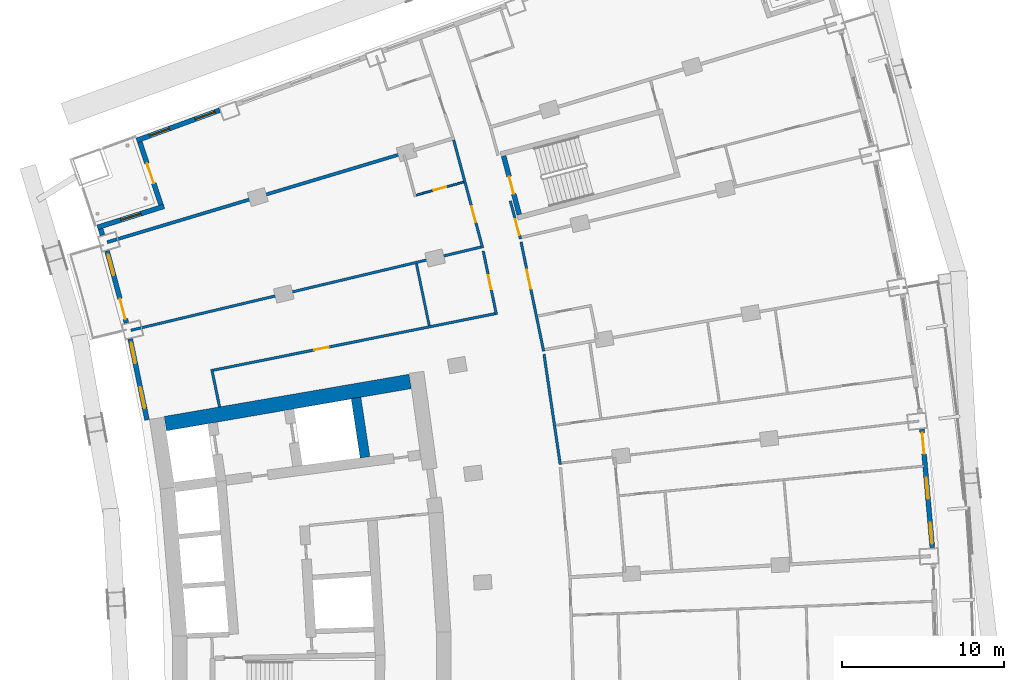
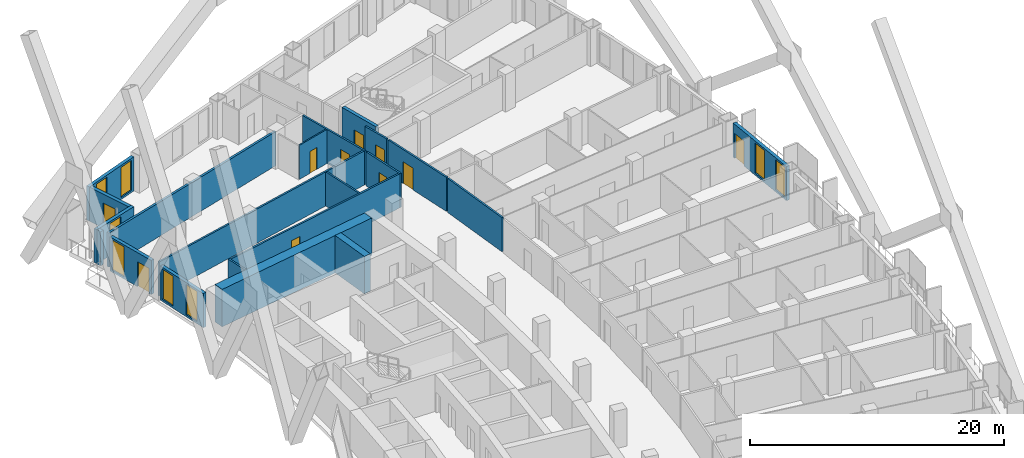
# One storey, part 19 of 25: 21 walls, 10 doors, 8 windows, 18 openings.
"""IFC4 building model written with IfcOpenShell, lengths in metres."""

from ifc_helpers import new_model, si_unit, direction, frame, frame_2d, origin, place, context, subcontext, project, spatial, rectangle, extrude, material, layer, layer_set, type_object, element, fill, save


model = new_model("IFC4")

# Units and contexts
model_context = context("Model", 3, precision=1e-05, world=origin(), true_north=direction((0.0, 1.0)))
body_context = subcontext(model_context, "Body", "Model", "MODEL_VIEW")
ifc_project = project(units=[si_unit("LENGTHUNIT", "METRE"), si_unit("AREAUNIT", "SQUARE_METRE"), si_unit("VOLUMEUNIT", "CUBIC_METRE"), si_unit("PLANEANGLEUNIT", "RADIAN"), si_unit("MASSUNIT", "GRAM", prefix="KILO")], contexts=[model_context])

# Site, building, storey
site_placement = place(None, origin())
site = spatial("IfcSite", under=ifc_project, at=site_placement, CompositionType="ELEMENT")
building_placement = place(site_placement, origin())
building = spatial("IfcBuilding", under=site, at=building_placement, Name="Alderwake Tower", CompositionType="ELEMENT")
storey_placement = place(building_placement, frame((0.0, 0.0, 32.0)))
storey = spatial("IfcBuildingStorey", under=building, at=storey_placement, Name="L06", CompositionType="ELEMENT", Elevation=32.0)

# Walls
ifc_material_1 = material(Name="Concrete C70/85", Category="concrete")
ifc_layer_1 = layer(ifc_material_1, 0.89990234375)
ifc_layer_set_1 = layer_set([ifc_layer_1], Name="Core wall outer 900 C70-85")
wall_type_1 = type_object("IfcWallType", Name="Core wall outer 900 C70-85", PredefinedType="SHEAR", material=ifc_layer_set_1)
wall_1_placement = place(storey_placement, frame((16.005615234375, 77.548828125, 0.0), z_axis=(0.0, 0.0, 1.0), x_axis=(0.985465815888, 0.169873852363, 0.0)))
element("IfcWall", 1, at=wall_1_placement, inside=storey, type_object=wall_type_1, Name="Core wall CW.053", PredefinedType="SHEAR", context=body_context, shape_type="SweptSolid", body=[
    extrude(rectangle(XDim=15.33056640625, YDim=0.89990234375, at=frame_2d((7.665283203125, 0.0))), origin(), (0.0, 0.0, 1.0), 3.60009765625),
])
ifc_material_2 = material(Name="Concrete C70/85", Category="concrete")
ifc_layer_2 = layer(ifc_material_2, 0.60009765625)
ifc_layer_set_2 = layer_set([ifc_layer_2], Name="Core wall spine 600 C70-85")
wall_type_2 = type_object("IfcWallType", Name="Core wall spine 600 C70-85", PredefinedType="SHEAR", material=ifc_layer_set_2)
wall_2_placement = place(storey_placement, frame((28.337646484375, 75.472412109375, 0.0), z_axis=(0.0, 0.0, 1.0), x_axis=(-0.149224787751, 0.988803298296, 0.0)))
element("IfcWall", 2, at=wall_2_placement, inside=storey, type_object=wall_type_2, Name="Core wall CW.001", PredefinedType="SHEAR", context=body_context, shape_type="SweptSolid", body=[
    extrude(rectangle(XDim=3.712158203125, YDim=0.60009765625, at=frame_2d((1.85595703125, 0.0))), origin(), (0.0, 0.0, 1.0), 3.60009765625),
])

# Wall, opening, door
ifc_material_3 = material(Name="Concrete C70/85", Category="concrete")
ifc_layer_3 = layer(ifc_material_3, 0.300048828125)
ifc_layer_set_3 = layer_set([ifc_layer_3], Name="Core wall stair enclosure 300 C70-85")
wall_type_3 = type_object("IfcWallType", Name="Core wall stair enclosure 300 C70-85", PredefinedType="SHEAR", material=ifc_layer_set_3)
wall_3_placement = place(storey_placement, frame((37.8603515625, 90.452392578125, 0.0), z_axis=(0.0, 0.0, 1.0), x_axis=(-0.257411420208, 0.966301899381, 0.0)))
wall_3 = element("IfcWall", 3, at=wall_3_placement, inside=storey, type_object=wall_type_3, Name="Core wall CW.083", PredefinedType="SHEAR", context=body_context, shape_type="SweptSolid", body=[
    extrude(rectangle(XDim=3.750244140625, YDim=0.300048828125, at=frame_2d((1.875, 0.0))), origin(), (0.0, 0.0, 1.0), 3.60009765625),
])
opening_1_placement = place(wall_3_placement, frame((1.324951171875, 0.0, 0.0)))
opening_1 = element("IfcOpeningElement", 4, at=opening_1_placement, cuts=wall_3, Name="Opening C062", PredefinedType="OPENING", context=body_context, shape_type="SweptSolid", body=[
    extrude(rectangle(XDim=1.10009765625, YDim=2.10009765625, at=frame_2d((0.550048828125, 1.050048828125))), frame((0.0, 0.159912109375, 0.0), z_axis=(0.0, -1.0, 0.0), x_axis=(1.0, 0.0, 0.0)), (0.0, 0.0, 1.0), 0.320068359375),
])
ifc_material_4 = material(Name="Steel-framed fire door leaf", Category="steel")
door_type_1 = type_object("IfcDoorType", Name="Core stair door 1100 fire-rated", OperationType="SINGLE_SWING_LEFT", PredefinedType="DOOR", material=ifc_material_4)
door_1_placement = place(opening_1_placement, origin())
door_1 = element("IfcDoor", 5, at=door_1_placement, inside=storey, type_object=door_type_1, Name="Stair door", OperationType="SINGLE_SWING_RIGHT", OverallHeight=2.10009765625, OverallWidth=1.10009765625, PredefinedType="DOOR", context=body_context, shape_type="SweptSolid", body=[
    extrude(rectangle(XDim=1.10009765625, YDim=2.10009765625, at=frame_2d((0.550048828125, 1.050048828125))), frame((0.0, 0.02490234375, 0.0), z_axis=(0.0, -1.0, 0.0), x_axis=(1.0, 0.0, 0.0)), (0.0, 0.0, 1.0), 0.050048828125),
])
fill(opening_1, door_1)

# Wall
ifc_material_5 = material(Name="Gypsum board on metal studs, rated")
ifc_layer_4 = layer(ifc_material_5, 0.159912109375)
ifc_layer_set_4 = layer_set([ifc_layer_4], Name="Corridor wall 160")
wall_type_4 = type_object("IfcWallType", Name="Corridor wall 160", PredefinedType="PARTITIONING", material=ifc_layer_set_4)
wall_4_placement = place(storey_placement, frame((18.874755859375, 80.910400390625, 0.0), z_axis=(0.0, 0.0, 1.0), x_axis=(0.202312089075, -0.979321100873, 0.0)))
element("IfcWall", 6, at=wall_4_placement, inside=storey, type_object=wall_type_4, Name="WL/L06/W18", PredefinedType="PARTITIONING", context=body_context, shape_type="SweptSolid", body=[
    extrude(rectangle(XDim=2.39306640625, YDim=0.159912109375, at=frame_2d((1.196533203125, 0.0))), origin(), (0.0, 0.0, 1.0), 3.280029296875),
])

# Wall, opening, door
wall_5_placement = place(storey_placement, frame((35.600830078125, 88.392578125, 0.0), z_axis=(0.0, 0.0, 1.0), x_axis=(-0.2593979597, 0.965770520622, 0.0)))
wall_5 = element("IfcWall", 7, at=wall_5_placement, inside=storey, type_object=wall_type_4, Name="WL/L06/W22", PredefinedType="PARTITIONING", context=body_context, shape_type="SweptSolid", body=[
    extrude(rectangle(XDim=6.9072265625, YDim=0.159912109375, at=frame_2d((3.45361328125, 0.0))), origin(), (0.0, 0.0, 1.0), 3.280029296875),
])
opening_2_placement = place(wall_5_placement, frame((1.65771484375, 0.0, 0.0)))
opening_2 = element("IfcOpeningElement", 8, at=opening_2_placement, cuts=wall_5, Name="Opening R01-U12.1", PredefinedType="OPENING", context=body_context, shape_type="SweptSolid", body=[
    extrude(rectangle(XDim=1.0, YDim=2.10009765625, at=frame_2d((0.5, 1.050048828125))), frame((0.0, 0.08984375, 0.0), z_axis=(0.0, -1.0, 0.0), x_axis=(1.0, 0.0, 0.0)), (0.0, 0.0, 1.0), 0.179931640625),
])
ifc_material_6 = material(Name="Solid timber leaf in steel frame", Category="steel")
door_type_2 = type_object("IfcDoorType", Name="Flat entrance door 1000 fire-rated", OperationType="SINGLE_SWING_LEFT", PredefinedType="DOOR", material=ifc_material_6)
door_2_placement = place(opening_2_placement, origin())
door_2 = element("IfcDoor", 9, at=door_2_placement, inside=storey, type_object=door_type_2, Name="DR/L06/U12.1", OperationType="SINGLE_SWING_LEFT", OverallHeight=2.10009765625, OverallWidth=1.0, PredefinedType="DOOR", context=body_context, shape_type="SweptSolid", body=[
    extrude(rectangle(XDim=1.0, YDim=2.10009765625, at=frame_2d((0.5, 1.050048828125))), frame((0.0, 0.02490234375, 0.0), z_axis=(0.0, -1.0, 0.0), x_axis=(1.0, 0.0, 0.0)), (0.0, 0.0, 1.0), 0.050048828125),
])
fill(opening_2, door_2)

# Wall
wall_6_placement = place(storey_placement, frame((35.502197265625, 88.451416015625, 0.0), z_axis=(0.0, 0.0, 1.0), x_axis=(-0.972894913244, -0.231247676278, 0.0)))
element("IfcWall", 10, at=wall_6_placement, inside=storey, type_object=wall_type_4, Name="WL/L06/W25", PredefinedType="PARTITIONING", context=body_context, shape_type="SweptSolid", body=[
    extrude(rectangle(XDim=22.220458984375, YDim=0.159912109375, at=frame_2d((11.1103515625, 0.0))), origin(), (0.0, 0.0, 1.0), 3.280029296875),
])

# Wall, opening, door
wall_7_placement = place(storey_placement, frame((36.451416015625, 84.272705078125, 0.0), z_axis=(0.0, 0.0, 1.0), x_axis=(-0.203258199701, 0.979125172924, 0.0)))
wall_7 = element("IfcWall", 11, at=wall_7_placement, inside=storey, type_object=wall_type_4, Name="WL/L06/W26", PredefinedType="PARTITIONING", context=body_context, shape_type="SweptSolid", body=[
    extrude(rectangle(XDim=4.020263671875, YDim=0.159912109375, at=frame_2d((2.01025390625, 0.0))), origin(), (0.0, 0.0, 1.0), 3.280029296875),
])
opening_3_placement = place(wall_7_placement, frame((1.599609375, 0.0, 0.0)))
opening_3 = element("IfcOpeningElement", 12, at=opening_3_placement, cuts=wall_7, Name="Opening R01-SBN2", PredefinedType="OPENING", context=body_context, shape_type="SweptSolid", body=[
    extrude(rectangle(XDim=0.89990234375, YDim=2.10009765625, at=frame_2d((0.449951171875, 1.050048828125))), frame((0.0, 0.08984375, 0.0), z_axis=(0.0, -1.0, 0.0), x_axis=(1.0, 0.0, 0.0)), (0.0, 0.0, 1.0), 0.179931640625),
])
ifc_material_7 = material(Name="Painted timber leaf", Category="wood")
door_type_3 = type_object("IfcDoorType", Name="Room door 900", OperationType="SINGLE_SWING_LEFT", PredefinedType="DOOR", material=ifc_material_7)
door_3_placement = place(opening_3_placement, origin())
door_3 = element("IfcDoor", 13, at=door_3_placement, inside=storey, type_object=door_type_3, Name="DR/L06/SBN2", OperationType="SINGLE_SWING_LEFT", OverallHeight=2.10009765625, OverallWidth=0.89990234375, PredefinedType="DOOR", context=body_context, shape_type="SweptSolid", body=[
    extrude(rectangle(XDim=0.89990234375, YDim=2.10009765625, at=frame_2d((0.449951171875, 1.050048828125))), frame((0.0, 0.02490234375, 0.0), z_axis=(0.0, -1.0, 0.0), x_axis=(1.0, 0.0, 0.0)), (0.0, 0.0, 1.0), 0.050048828125),
])
fill(opening_3, door_3)

wall_8_placement = place(storey_placement, frame((18.969482421875, 80.84765625, 0.0), z_axis=(0.0, 0.0, 1.0), x_axis=(0.980470914622, 0.196664144112, 0.0)))
wall_8 = element("IfcWall", 14, at=wall_8_placement, inside=storey, type_object=wall_type_4, Name="WL/L06/W30", PredefinedType="PARTITIONING", context=body_context, shape_type="SweptSolid", body=[
    extrude(rectangle(XDim=17.733642578125, YDim=0.159912109375, at=frame_2d((8.86669921875, 0.0))), origin(), (0.0, 0.0, 1.0), 3.280029296875),
])
opening_4_placement = place(wall_8_placement, frame((6.35693359375, 0.0, 0.0)))
opening_4 = element("IfcOpeningElement", 15, at=opening_4_placement, cuts=wall_8, Name="Opening R01-SBN1", PredefinedType="OPENING", context=body_context, shape_type="SweptSolid", body=[
    extrude(rectangle(XDim=0.89990234375, YDim=2.10009765625, at=frame_2d((0.449951171875, 1.050048828125))), frame((0.0, 0.08984375, 0.0), z_axis=(0.0, -1.0, 0.0), x_axis=(1.0, 0.0, 0.0)), (0.0, 0.0, 1.0), 0.179931640625),
])
door_4_placement = place(opening_4_placement, origin())
door_4 = element("IfcDoor", 16, at=door_4_placement, inside=storey, type_object=door_type_3, Name="DR/L06/SBN1", OperationType="SINGLE_SWING_LEFT", OverallHeight=2.10009765625, OverallWidth=0.89990234375, PredefinedType="DOOR", context=body_context, shape_type="SweptSolid", body=[
    extrude(rectangle(XDim=0.89990234375, YDim=2.10009765625, at=frame_2d((0.449951171875, 1.050048828125))), frame((0.0, 0.02490234375, 0.0), z_axis=(0.0, -1.0, 0.0), x_axis=(1.0, 0.0, 0.0)), (0.0, 0.0, 1.0), 0.050048828125),
])
fill(opening_4, door_4)

wall_9_placement = place(storey_placement, frame((37.304931640625, 91.299072265625, 0.0), z_axis=(0.0, 0.0, 1.0), x_axis=(0.259883580704, -0.965639955926, 0.0)))
wall_9 = element("IfcWall", 17, at=wall_9_placement, inside=storey, type_object=wall_type_4, Name="WL/L06/W34", PredefinedType="PARTITIONING", context=body_context, shape_type="SweptSolid", body=[
    extrude(rectangle(XDim=2.43505859375, YDim=0.159912109375, at=frame_2d((1.217529296875, 0.0))), origin(), (0.0, 0.0, 1.0), 3.280029296875),
])
opening_5_placement = place(wall_9_placement, frame((1.1796875, 0.0, 0.0)))
opening_5 = element("IfcOpeningElement", 18, at=opening_5_placement, cuts=wall_9, Name="Opening R01-U02.1", PredefinedType="OPENING", context=body_context, shape_type="SweptSolid", body=[
    extrude(rectangle(XDim=1.0, YDim=2.10009765625, at=frame_2d((0.5, 1.050048828125))), frame((0.0, 0.08984375, 0.0), z_axis=(0.0, -1.0, 0.0), x_axis=(1.0, 0.0, 0.0)), (0.0, 0.0, 1.0), 0.179931640625),
])
door_5_placement = place(opening_5_placement, origin())
door_5 = element("IfcDoor", 19, at=door_5_placement, inside=storey, type_object=door_type_2, Name="DR/L06/U02.1", OperationType="SINGLE_SWING_LEFT", OverallHeight=2.10009765625, OverallWidth=1.0, PredefinedType="DOOR", context=body_context, shape_type="SweptSolid", body=[
    extrude(rectangle(XDim=1.0, YDim=2.10009765625, at=frame_2d((0.5, 1.050048828125))), frame((0.0, 0.02490234375, 0.0), z_axis=(0.0, -1.0, 0.0), x_axis=(1.0, 0.0, 0.0)), (0.0, 0.0, 1.0), 0.050048828125),
])
fill(opening_5, door_5)

wall_10_placement = place(storey_placement, frame((37.970947265625, 88.763916015625, 0.0), z_axis=(0.0, 0.0, 1.0), x_axis=(0.202407399899, -0.979301406343, 0.0)))
wall_10 = element("IfcWall", 20, at=wall_10_placement, inside=storey, type_object=wall_type_4, Name="WL/L06/W37", PredefinedType="PARTITIONING", context=body_context, shape_type="SweptSolid", body=[
    extrude(rectangle(XDim=6.8837890625, YDim=0.159912109375, at=frame_2d((3.44189453125, 0.0))), origin(), (0.0, 0.0, 1.0), 3.280029296875),
])
opening_6_placement = place(wall_10_placement, frame((1.7412109375, 0.0, 0.0)))
opening_6 = element("IfcOpeningElement", 21, at=opening_6_placement, cuts=wall_10, Name="Opening R01-AM1.1", PredefinedType="OPENING", context=body_context, shape_type="SweptSolid", body=[
    extrude(rectangle(XDim=1.199951171875, YDim=2.10009765625, at=frame_2d((0.60009765625, 1.050048828125))), frame((0.0, 0.08984375, 0.0), z_axis=(0.0, -1.0, 0.0), x_axis=(1.0, 0.0, 0.0)), (0.0, 0.0, 1.0), 0.179931640625),
])
ifc_material_8 = material(Name="Steel-framed fire door leaf", Category="steel")
door_type_4 = type_object("IfcDoorType", Name="Lobby door 1200 fire-rated", OperationType="SINGLE_SWING_LEFT", PredefinedType="DOOR", material=ifc_material_8)
door_6_placement = place(opening_6_placement, origin())
door_6 = element("IfcDoor", 22, at=door_6_placement, inside=storey, type_object=door_type_4, Name="DR/L06/AM1.1", OperationType="SINGLE_SWING_LEFT", OverallHeight=2.10009765625, OverallWidth=1.199951171875, PredefinedType="DOOR", context=body_context, shape_type="SweptSolid", body=[
    extrude(rectangle(XDim=1.199951171875, YDim=2.10009765625, at=frame_2d((0.60009765625, 1.050048828125))), frame((0.0, 0.02490234375, 0.0), z_axis=(0.0, -1.0, 0.0), x_axis=(1.0, 0.0, 0.0)), (0.0, 0.0, 1.0), 0.050048828125),
])
fill(opening_6, door_6)

# Wall
wall_11_placement = place(storey_placement, frame((40.388671875, 75.02880859375, 0.0), z_axis=(0.0, 0.0, 1.0), x_axis=(-0.145597146039, 0.989343959938, 0.0)))
element("IfcWall", 23, at=wall_11_placement, inside=storey, type_object=wall_type_4, Name="WL/L06/W39", PredefinedType="PARTITIONING", context=body_context, shape_type="SweptSolid", body=[
    extrude(rectangle(XDim=6.881591796875, YDim=0.159912109375, at=frame_2d((3.44091796875, 0.0))), origin(), (0.0, 0.0, 1.0), 3.280029296875),
])

# Wall, openings, door, windows
ifc_material_9 = material(Name="Precast concrete C50/60 spandrel panel", Category="concrete")
ifc_layer_5 = layer(ifc_material_9, 0.300048828125)
ifc_layer_set_5 = layer_set([ifc_layer_5], Name="External wall EW1 Precast concrete C50/60 spandrel")
wall_type_5 = type_object("IfcWallType", Name="External wall EW1 Precast concrete C50/60 spandrel", PredefinedType="SOLIDWALL", material=ifc_layer_set_5)
wall_12_placement = place(storey_placement, frame((63.35986328125, 69.8974609375, 0.0), z_axis=(0.0, 0.0, 1.0), x_axis=(-0.08740868533, 0.996172536125, 0.0)))
wall_12 = element("IfcWall", 24, at=wall_12_placement, inside=storey, type_object=wall_type_5, Name="External wall 18", PredefinedType="SOLIDWALL", context=body_context, shape_type="SweptSolid", body=[
    extrude(rectangle(XDim=7.3291015625, YDim=0.300048828125, at=frame_2d((3.66455078125, 0.0))), origin(), (0.0, 0.0, 1.0), 3.280029296875),
])
opening_7_placement = place(wall_12_placement, frame((0.226806640625, 0.0, 0.199951171875)))
opening_7 = element("IfcOpeningElement", 25, at=opening_7_placement, cuts=wall_12, Name="Opening W1", PredefinedType="OPENING", context=body_context, shape_type="SweptSolid", body=[
    extrude(rectangle(XDim=1.300048828125, YDim=2.89990234375, at=frame_2d((0.64990234375, 1.449951171875))), frame((0.0, 0.159912109375, 0.0), z_axis=(0.0, -1.0, 0.0), x_axis=(1.0, 0.0, 0.0)), (0.0, 0.0, 1.0), 0.320068359375),
])
opening_8_placement = place(wall_12_placement, frame((3.0146484375, 0.0, 0.199951171875)))
opening_8 = element("IfcOpeningElement", 26, at=opening_8_placement, cuts=wall_12, Name="Opening W1", PredefinedType="OPENING", context=body_context, shape_type="SweptSolid", body=[
    extrude(rectangle(XDim=1.300048828125, YDim=2.89990234375, at=frame_2d((0.64990234375, 1.449951171875))), frame((0.0, 0.159912109375, 0.0), z_axis=(0.0, -1.0, 0.0), x_axis=(1.0, 0.0, 0.0)), (0.0, 0.0, 1.0), 0.320068359375),
])
opening_9_placement = place(wall_12_placement, frame((5.802490234375, 0.0, 0.0)))
opening_9 = element("IfcOpeningElement", 27, at=opening_9_placement, cuts=wall_12, Name="Opening D09", PredefinedType="OPENING", context=body_context, shape_type="SweptSolid", body=[
    extrude(rectangle(XDim=1.300048828125, YDim=2.39990234375, at=frame_2d((0.64990234375, 1.199951171875))), frame((0.0, 0.159912109375, 0.0), z_axis=(0.0, -1.0, 0.0), x_axis=(1.0, 0.0, 0.0)), (0.0, 0.0, 1.0), 0.320068359375),
])
ifc_material_10 = material(Name="Bronze tinted glass in aluminium frame", Category="aluminium")
door_type_5 = type_object("IfcDoorType", Name="Balcony door BD sliding", OperationType="SLIDING_TO_LEFT", PredefinedType="DOOR", material=ifc_material_10)
door_7_placement = place(opening_9_placement, origin())
door_7 = element("IfcDoor", 28, at=door_7_placement, inside=storey, type_object=door_type_5, Name="Door D09", OperationType="SLIDING_TO_LEFT", OverallHeight=2.39990234375, OverallWidth=1.300048828125, PredefinedType="DOOR", context=body_context, shape_type="SweptSolid", body=[
    extrude(rectangle(XDim=1.300048828125, YDim=2.39990234375, at=frame_2d((0.64990234375, 1.199951171875))), frame((0.0, 0.02490234375, 0.0), z_axis=(0.0, -1.0, 0.0), x_axis=(1.0, 0.0, 0.0)), (0.0, 0.0, 1.0), 0.050048828125),
])
fill(opening_9, door_7)
ifc_material_11 = material(Name="Bronze tinted glass in aluminium frame", Category="aluminium")
window_type = type_object("IfcWindowType", Name="Window W1 tall fixed and vent", PartitioningType="DOUBLE_PANEL_VERTICAL", PredefinedType="WINDOW", material=ifc_material_11)
window_1_placement = place(opening_7_placement, origin())
window_1 = element("IfcWindow", 29, at=window_1_placement, inside=storey, type_object=window_type, Name="Window W1 tall fixed and vent", OverallHeight=2.89990234375, OverallWidth=1.300048828125, PartitioningType="DOUBLE_PANEL_VERTICAL", PredefinedType="WINDOW", context=body_context, shape_type="SweptSolid", body=[
    extrude(rectangle(XDim=1.300048828125, YDim=2.89990234375, at=frame_2d((0.64990234375, 1.449951171875))), frame((0.0, 0.030029296875, 0.0), z_axis=(0.0, -1.0, 0.0), x_axis=(1.0, 0.0, 0.0)), (0.0, 0.0, 1.0), 0.06005859375),
])
fill(opening_7, window_1)
window_2_placement = place(opening_8_placement, origin())
window_2 = element("IfcWindow", 30, at=window_2_placement, inside=storey, type_object=window_type, Name="Window W1 tall fixed and vent", OverallHeight=2.89990234375, OverallWidth=1.300048828125, PartitioningType="DOUBLE_PANEL_VERTICAL", PredefinedType="WINDOW", context=body_context, shape_type="SweptSolid", body=[
    extrude(rectangle(XDim=1.300048828125, YDim=2.89990234375, at=frame_2d((0.64990234375, 1.449951171875))), frame((0.0, 0.030029296875, 0.0), z_axis=(0.0, -1.0, 0.0), x_axis=(1.0, 0.0, 0.0)), (0.0, 0.0, 1.0), 0.06005859375),
])
fill(opening_8, window_2)

# Wall
wall_13_placement = place(storey_placement, frame((12.01416015625, 89.5703125, 0.0), z_axis=(0.0, 0.0, 1.0), x_axis=(0.29468230117, -0.955595281161, 0.0)))
element("IfcWall", 31, at=wall_13_placement, inside=storey, type_object=wall_type_5, Name="External wall 32", PredefinedType="SOLIDWALL", context=body_context, shape_type="SweptSolid", body=[
    extrude(rectangle(XDim=0.402587890625, YDim=0.300048828125, at=frame_2d((0.201171875, 0.0))), origin(), (0.0, 0.0, 1.0), 3.280029296875),
])

# Wall, openings, door, window
wall_14_placement = place(storey_placement, frame((12.4130859375, 88.212890625, 0.0), z_axis=(0.0, 0.0, 1.0), x_axis=(0.259495671332, -0.965744270788, 0.0)))
wall_14 = element("IfcWall", 32, at=wall_14_placement, inside=storey, type_object=wall_type_5, Name="External wall 33", PredefinedType="SOLIDWALL", context=body_context, shape_type="SweptSolid", body=[
    extrude(rectangle(XDim=4.599609375, YDim=0.300048828125, at=frame_2d((2.2998046875, 0.0))), origin(), (0.0, 0.0, 1.0), 3.280029296875),
])
opening_10_placement = place(wall_14_placement, frame((0.2412109375, 0.0, 0.199951171875)))
opening_10 = element("IfcOpeningElement", 33, at=opening_10_placement, cuts=wall_14, Name="Opening W1", PredefinedType="OPENING", context=body_context, shape_type="SweptSolid", body=[
    extrude(rectangle(XDim=1.300048828125, YDim=2.89990234375, at=frame_2d((0.64990234375, 1.449951171875))), frame((0.0, 0.159912109375, 0.0), z_axis=(0.0, -1.0, 0.0), x_axis=(1.0, 0.0, 0.0)), (0.0, 0.0, 1.0), 0.320068359375),
])
opening_11_placement = place(wall_14_placement, frame((3.058349609375, 0.0, 0.0)))
opening_11 = element("IfcOpeningElement", 34, at=opening_11_placement, cuts=wall_14, Name="Opening D14", PredefinedType="OPENING", context=body_context, shape_type="SweptSolid", body=[
    extrude(rectangle(XDim=1.300048828125, YDim=2.39990234375, at=frame_2d((0.64990234375, 1.199951171875))), frame((0.0, 0.159912109375, 0.0), z_axis=(0.0, -1.0, 0.0), x_axis=(1.0, 0.0, 0.0)), (0.0, 0.0, 1.0), 0.320068359375),
])
door_8_placement = place(opening_11_placement, origin())
door_8 = element("IfcDoor", 35, at=door_8_placement, inside=storey, type_object=door_type_5, Name="Door D14", OperationType="SLIDING_TO_LEFT", OverallHeight=2.39990234375, OverallWidth=1.300048828125, PredefinedType="DOOR", context=body_context, shape_type="SweptSolid", body=[
    extrude(rectangle(XDim=1.300048828125, YDim=2.39990234375, at=frame_2d((0.64990234375, 1.199951171875))), frame((0.0, 0.02490234375, 0.0), z_axis=(0.0, -1.0, 0.0), x_axis=(1.0, 0.0, 0.0)), (0.0, 0.0, 1.0), 0.050048828125),
])
fill(opening_11, door_8)
window_3_placement = place(opening_10_placement, origin())
window_3 = element("IfcWindow", 36, at=window_3_placement, inside=storey, type_object=window_type, Name="Window W1 tall fixed and vent", OverallHeight=2.89990234375, OverallWidth=1.300048828125, PartitioningType="DOUBLE_PANEL_VERTICAL", PredefinedType="WINDOW", context=body_context, shape_type="SweptSolid", body=[
    extrude(rectangle(XDim=1.300048828125, YDim=2.89990234375, at=frame_2d((0.64990234375, 1.449951171875))), frame((0.0, 0.030029296875, 0.0), z_axis=(0.0, -1.0, 0.0), x_axis=(1.0, 0.0, 0.0)), (0.0, 0.0, 1.0), 0.06005859375),
])
fill(opening_10, window_3)

# Wall, openings, windows
wall_15_placement = place(storey_placement, frame((13.842529296875, 82.77880859375, 0.0), z_axis=(0.0, 0.0, 1.0), x_axis=(0.202738354746, -0.979232944459, 0.0)))
wall_15 = element("IfcWall", 37, at=wall_15_placement, inside=storey, type_object=wall_type_5, Name="External wall 34", PredefinedType="SOLIDWALL", context=body_context, shape_type="SweptSolid", body=[
    extrude(rectangle(XDim=5.1083984375, YDim=0.300048828125, at=frame_2d((2.55419921875, 0.0))), origin(), (0.0, 0.0, 1.0), 3.280029296875),
])
opening_12_placement = place(wall_15_placement, frame((0.239013671875, 0.0, 0.199951171875)))
opening_12 = element("IfcOpeningElement", 38, at=opening_12_placement, cuts=wall_15, Name="Opening W1", PredefinedType="OPENING", context=body_context, shape_type="SweptSolid", body=[
    extrude(rectangle(XDim=1.300048828125, YDim=2.89990234375, at=frame_2d((0.64990234375, 1.449951171875))), frame((0.0, 0.159912109375, 0.0), z_axis=(0.0, -1.0, 0.0), x_axis=(1.0, 0.0, 0.0)), (0.0, 0.0, 1.0), 0.320068359375),
])
opening_13_placement = place(wall_15_placement, frame((3.0517578125, 0.0, 0.199951171875)))
opening_13 = element("IfcOpeningElement", 39, at=opening_13_placement, cuts=wall_15, Name="Opening W1", PredefinedType="OPENING", context=body_context, shape_type="SweptSolid", body=[
    extrude(rectangle(XDim=1.300048828125, YDim=2.89990234375, at=frame_2d((0.64990234375, 1.449951171875))), frame((0.0, 0.159912109375, 0.0), z_axis=(0.0, -1.0, 0.0), x_axis=(1.0, 0.0, 0.0)), (0.0, 0.0, 1.0), 0.320068359375),
])
window_4_placement = place(opening_12_placement, origin())
window_4 = element("IfcWindow", 40, at=window_4_placement, inside=storey, type_object=window_type, Name="Window W1 tall fixed and vent", OverallHeight=2.89990234375, OverallWidth=1.300048828125, PartitioningType="DOUBLE_PANEL_VERTICAL", PredefinedType="WINDOW", context=body_context, shape_type="SweptSolid", body=[
    extrude(rectangle(XDim=1.300048828125, YDim=2.89990234375, at=frame_2d((0.64990234375, 1.449951171875))), frame((0.0, 0.030029296875, 0.0), z_axis=(0.0, -1.0, 0.0), x_axis=(1.0, 0.0, 0.0)), (0.0, 0.0, 1.0), 0.06005859375),
])
fill(opening_12, window_4)
window_5_placement = place(opening_13_placement, origin())
window_5 = element("IfcWindow", 41, at=window_5_placement, inside=storey, type_object=window_type, Name="Window W1 tall fixed and vent", OverallHeight=2.89990234375, OverallWidth=1.300048828125, PartitioningType="DOUBLE_PANEL_VERTICAL", PredefinedType="WINDOW", context=body_context, shape_type="SweptSolid", body=[
    extrude(rectangle(XDim=1.300048828125, YDim=2.89990234375, at=frame_2d((0.64990234375, 1.449951171875))), frame((0.0, 0.030029296875, 0.0), z_axis=(0.0, -1.0, 0.0), x_axis=(1.0, 0.0, 0.0)), (0.0, 0.0, 1.0), 0.06005859375),
])
fill(opening_13, window_5)

ifc_material_12 = material(Name="Bronze metal cladding on lightweight framing")
ifc_layer_6 = layer(ifc_material_12, 0.300048828125)
ifc_layer_set_6 = layer_set([ifc_layer_6], Name="External wall EW2 bronze metal cladding")
wall_type_6 = type_object("IfcWallType", Name="External wall EW2 bronze metal cladding", PredefinedType="SOLIDWALL", material=ifc_layer_set_6)
wall_16_placement = place(storey_placement, frame((19.360595703125, 96.89697265625, 0.0), z_axis=(0.0, 0.0, 1.0), x_axis=(-0.939360985368, -0.342929933321, 0.0)))
wall_16 = element("IfcWall", 42, at=wall_16_placement, inside=storey, type_object=wall_type_6, Name="External wall 29", PredefinedType="SOLIDWALL", context=body_context, shape_type="SweptSolid", body=[
    extrude(rectangle(XDim=5.448974609375, YDim=0.300048828125, at=frame_2d((2.724609375, 0.0))), origin(), (0.0, 0.0, 1.0), 3.280029296875),
])
opening_14_placement = place(wall_16_placement, frame((0.2978515625, 0.0, 0.199951171875)))
opening_14 = element("IfcOpeningElement", 43, at=opening_14_placement, cuts=wall_16, Name="Opening W1", PredefinedType="OPENING", context=body_context, shape_type="SweptSolid", body=[
    extrude(rectangle(XDim=1.300048828125, YDim=2.89990234375, at=frame_2d((0.64990234375, 1.449951171875))), frame((0.0, 0.159912109375, 0.0), z_axis=(0.0, -1.0, 0.0), x_axis=(1.0, 0.0, 0.0)), (0.0, 0.0, 1.0), 0.320068359375),
])
opening_15_placement = place(wall_16_placement, frame((3.298583984375, 0.0, 0.199951171875)))
opening_15 = element("IfcOpeningElement", 44, at=opening_15_placement, cuts=wall_16, Name="Opening W1", PredefinedType="OPENING", context=body_context, shape_type="SweptSolid", body=[
    extrude(rectangle(XDim=1.300048828125, YDim=2.89990234375, at=frame_2d((0.64990234375, 1.449951171875))), frame((0.0, 0.159912109375, 0.0), z_axis=(0.0, -1.0, 0.0), x_axis=(1.0, 0.0, 0.0)), (0.0, 0.0, 1.0), 0.320068359375),
])
window_6_placement = place(opening_14_placement, origin())
window_6 = element("IfcWindow", 45, at=window_6_placement, inside=storey, type_object=window_type, Name="Window W1 tall fixed and vent", OverallHeight=2.89990234375, OverallWidth=1.300048828125, PartitioningType="DOUBLE_PANEL_VERTICAL", PredefinedType="WINDOW", context=body_context, shape_type="SweptSolid", body=[
    extrude(rectangle(XDim=1.300048828125, YDim=2.89990234375, at=frame_2d((0.64990234375, 1.449951171875))), frame((0.0, 0.030029296875, 0.0), z_axis=(0.0, -1.0, 0.0), x_axis=(1.0, 0.0, 0.0)), (0.0, 0.0, 1.0), 0.06005859375),
])
fill(opening_14, window_6)
window_7_placement = place(opening_15_placement, origin())
window_7 = element("IfcWindow", 46, at=window_7_placement, inside=storey, type_object=window_type, Name="Window W1 tall fixed and vent", OverallHeight=2.89990234375, OverallWidth=1.300048828125, PartitioningType="DOUBLE_PANEL_VERTICAL", PredefinedType="WINDOW", context=body_context, shape_type="SweptSolid", body=[
    extrude(rectangle(XDim=1.300048828125, YDim=2.89990234375, at=frame_2d((0.64990234375, 1.449951171875))), frame((0.0, 0.030029296875, 0.0), z_axis=(0.0, -1.0, 0.0), x_axis=(1.0, 0.0, 0.0)), (0.0, 0.0, 1.0), 0.06005859375),
])
fill(opening_15, window_7)

# Wall, opening, door
wall_17_placement = place(storey_placement, frame((14.430908203125, 94.937744140625, 0.0), z_axis=(0.0, 0.0, 1.0), x_axis=(0.320379458656, -0.947289291859, 0.0)))
wall_17 = element("IfcWall", 47, at=wall_17_placement, inside=storey, type_object=wall_type_6, Name="External wall 30", PredefinedType="SOLIDWALL", context=body_context, shape_type="SweptSolid", body=[
    extrude(rectangle(XDim=4.08984375, YDim=0.300048828125, at=frame_2d((2.044921875, 0.0))), origin(), (0.0, 0.0, 1.0), 3.280029296875),
])
opening_16_placement = place(wall_17_placement, frame((1.39501953125, 0.0, 0.0)))
opening_16 = element("IfcOpeningElement", 48, at=opening_16_placement, cuts=wall_17, Name="Opening D13", PredefinedType="OPENING", context=body_context, shape_type="SweptSolid", body=[
    extrude(rectangle(XDim=1.300048828125, YDim=2.39990234375, at=frame_2d((0.64990234375, 1.199951171875))), frame((0.0, 0.159912109375, 0.0), z_axis=(0.0, -1.0, 0.0), x_axis=(1.0, 0.0, 0.0)), (0.0, 0.0, 1.0), 0.320068359375),
])
door_9_placement = place(opening_16_placement, origin())
door_9 = element("IfcDoor", 49, at=door_9_placement, inside=storey, type_object=door_type_5, Name="Door D13", OperationType="SLIDING_TO_LEFT", OverallHeight=2.39990234375, OverallWidth=1.300048828125, PredefinedType="DOOR", context=body_context, shape_type="SweptSolid", body=[
    extrude(rectangle(XDim=1.300048828125, YDim=2.39990234375, at=frame_2d((0.64990234375, 1.199951171875))), frame((0.0, 0.02490234375, 0.0), z_axis=(0.0, -1.0, 0.0), x_axis=(1.0, 0.0, 0.0)), (0.0, 0.0, 1.0), 0.050048828125),
])
fill(opening_16, door_9)

# Wall, opening, window
wall_18_placement = place(storey_placement, frame((15.932373046875, 90.966552734375, 0.0), z_axis=(0.0, 0.0, 1.0), x_axis=(-0.953473772386, -0.301475978103, 0.0)))
wall_18 = element("IfcWall", 50, at=wall_18_placement, inside=storey, type_object=wall_type_6, Name="External wall 31", PredefinedType="SOLIDWALL", context=body_context, shape_type="SweptSolid", body=[
    extrude(rectangle(XDim=4.305908203125, YDim=0.300048828125, at=frame_2d((2.15283203125, 0.0))), origin(), (0.0, 0.0, 1.0), 3.280029296875),
])
opening_17_placement = place(wall_18_placement, frame((1.5029296875, 0.0, 0.199951171875)))
opening_17 = element("IfcOpeningElement", 51, at=opening_17_placement, cuts=wall_18, Name="Opening W1", PredefinedType="OPENING", context=body_context, shape_type="SweptSolid", body=[
    extrude(rectangle(XDim=1.300048828125, YDim=2.89990234375, at=frame_2d((0.64990234375, 1.449951171875))), frame((0.0, 0.159912109375, 0.0), z_axis=(0.0, -1.0, 0.0), x_axis=(1.0, 0.0, 0.0)), (0.0, 0.0, 1.0), 0.320068359375),
])
window_8_placement = place(opening_17_placement, origin())
window_8 = element("IfcWindow", 52, at=window_8_placement, inside=storey, type_object=window_type, Name="Window W1 tall fixed and vent", OverallHeight=2.89990234375, OverallWidth=1.300048828125, PartitioningType="DOUBLE_PANEL_VERTICAL", PredefinedType="WINDOW", context=body_context, shape_type="SweptSolid", body=[
    extrude(rectangle(XDim=1.300048828125, YDim=2.89990234375, at=frame_2d((0.64990234375, 1.449951171875))), frame((0.0, 0.030029296875, 0.0), z_axis=(0.0, -1.0, 0.0), x_axis=(1.0, 0.0, 0.0)), (0.0, 0.0, 1.0), 0.06005859375),
])
fill(opening_17, window_8)

# Walls
ifc_material_13 = material(Name="Dense block masonry wall", Category="masonry")
ifc_layer_7 = layer(ifc_material_13, 0.199951171875)
ifc_layer_set_7 = layer_set([ifc_layer_7], Name="Party wall 200")
wall_type_7 = type_object("IfcWallType", Name="Party wall 200", PredefinedType="SOLIDWALL", material=ifc_layer_set_7)
wall_19_placement = place(storey_placement, frame((30.812744140625, 94.270751953125, 0.0), z_axis=(0.0, 0.0, 1.0), x_axis=(-0.957756965565, -0.287578849904, 0.0)))
element("IfcWall", 53, at=wall_19_placement, inside=storey, type_object=wall_type_7, Name="WL/L06/W01", PredefinedType="SOLIDWALL", context=body_context, shape_type="SweptSolid", body=[
    extrude(rectangle(XDim=19.20068359375, YDim=0.199951171875, at=frame_2d((9.600341796875, 0.0))), origin(), (0.0, 0.0, 1.0), 3.280029296875),
])
ifc_material_14 = material(Name="Gypsum shaft wall system, rated")
ifc_layer_8 = layer(ifc_material_14, 0.14990234375)
ifc_layer_set_8 = layer_set([ifc_layer_8], Name="Riser and shaft wall 150")
wall_type_8 = type_object("IfcWallType", Name="Riser and shaft wall 150", PredefinedType="PARTITIONING", material=ifc_layer_set_8)
wall_20_placement = place(storey_placement, frame((32.2998046875, 83.601318359375, 0.0), z_axis=(0.0, 0.0, 1.0), x_axis=(-0.202493797034, 0.979283545334, 0.0)))
element("IfcWall", 54, at=wall_20_placement, inside=storey, type_object=wall_type_8, Name="WL/L06/W13", PredefinedType="PARTITIONING", context=body_context, shape_type="SweptSolid", body=[
    extrude(rectangle(XDim=3.899169921875, YDim=0.14990234375, at=frame_2d((1.94970703125, 0.0))), origin(), (0.0, 0.0, 1.0), 3.280029296875),
])

# Wall, opening, door
ifc_material_15 = material(Name="Moisture resistant gypsum board on metal studs")
ifc_layer_9 = layer(ifc_material_15, 0.1201171875)
ifc_layer_set_9 = layer_set([ifc_layer_9], Name="Wet room partition 120")
wall_type_9 = type_object("IfcWallType", Name="Wet room partition 120", PredefinedType="PARTITIONING", material=ifc_layer_set_9)
wall_21_placement = place(storey_placement, frame((31.476806640625, 91.65087890625, 0.0), z_axis=(0.0, 0.0, 1.0), x_axis=(0.964118102321, 0.265473698843, 0.0)))
wall_21 = element("IfcWall", 55, at=wall_21_placement, inside=storey, type_object=wall_type_9, Name="WL/L06/W49", PredefinedType="PARTITIONING", context=body_context, shape_type="SweptSolid", body=[
    extrude(rectangle(XDim=3.058837890625, YDim=0.1201171875, at=frame_2d((1.529296875, 0.0))), origin(), (0.0, 0.0, 1.0), 3.280029296875),
])
opening_18_placement = place(wall_21_placement, frame((1.12939453125, 0.0, 0.0)))
opening_18 = element("IfcOpeningElement", 56, at=opening_18_placement, cuts=wall_21, Name="Opening R01-U12.2", PredefinedType="OPENING", context=body_context, shape_type="SweptSolid", body=[
    extrude(rectangle(XDim=0.800048828125, YDim=2.10009765625, at=frame_2d((0.39990234375, 1.050048828125))), frame((0.0, 0.070068359375, 0.0), z_axis=(0.0, -1.0, 0.0), x_axis=(1.0, 0.0, 0.0)), (0.0, 0.0, 1.0), 0.14013671875),
])
ifc_material_16 = material(Name="Painted timber leaf", Category="wood")
door_type_6 = type_object("IfcDoorType", Name="Bathroom door 800", OperationType="SINGLE_SWING_LEFT", PredefinedType="DOOR", material=ifc_material_16)
door_10_placement = place(opening_18_placement, origin())
door_10 = element("IfcDoor", 57, at=door_10_placement, inside=storey, type_object=door_type_6, Name="DR/L06/U12.2", OperationType="SINGLE_SWING_LEFT", OverallHeight=2.10009765625, OverallWidth=0.800048828125, PredefinedType="DOOR", context=body_context, shape_type="SweptSolid", body=[
    extrude(rectangle(XDim=0.800048828125, YDim=2.10009765625, at=frame_2d((0.39990234375, 1.050048828125))), frame((0.0, 0.02490234375, 0.0), z_axis=(0.0, -1.0, 0.0), x_axis=(1.0, 0.0, 0.0)), (0.0, 0.0, 1.0), 0.050048828125),
])
fill(opening_18, door_10)

save(model, "model.ifc")
